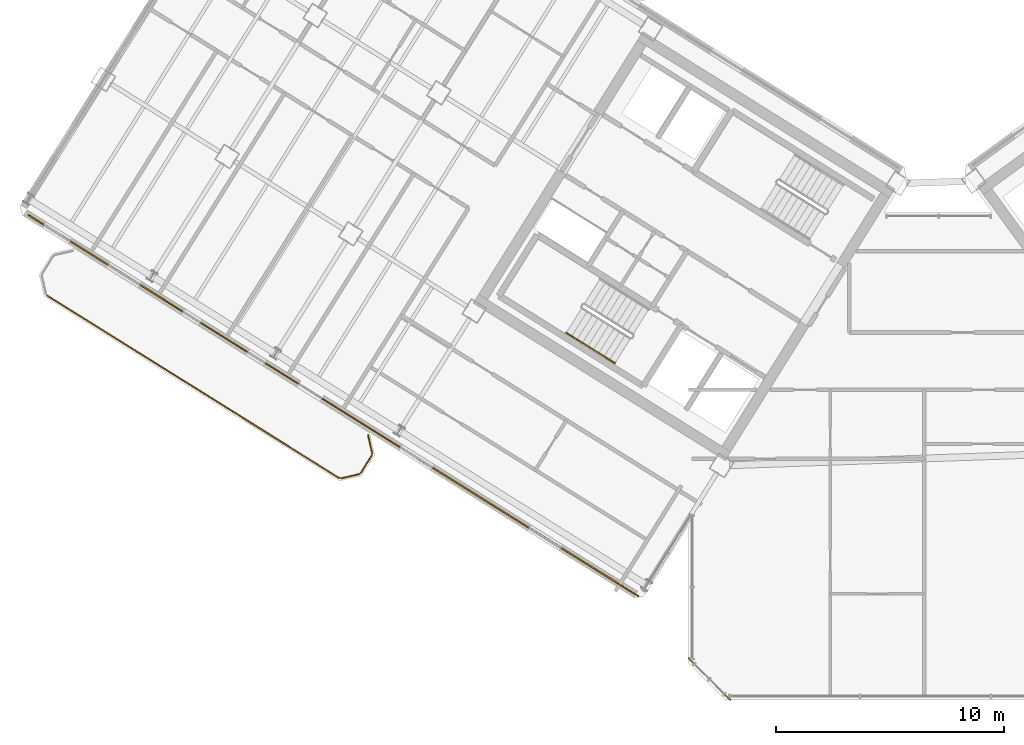
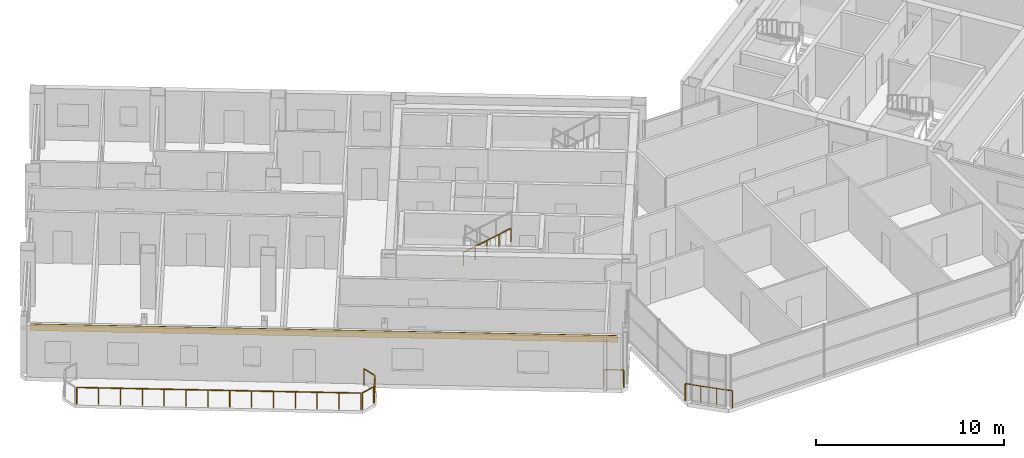
# One storey, part 22 of 29: 8 railings, 1 covering.
"""IFC4 building model written with IfcOpenShell, lengths in metres."""

from ifc_helpers import new_model, si_unit, direction, frame, origin, origin_2d, place, context, subcontext, project, spatial, rectangle, extrude, source, transform, mapped, material, layer, layer_set, type_object, element, save


model = new_model("IFC4")

# Units and contexts
model_context = context("Model", 3, precision=1e-05, world=origin(), true_north=direction((0.0, 1.0)))
body_context = subcontext(model_context, "Body", "Model", "MODEL_VIEW")
ifc_project = project(units=[si_unit("LENGTHUNIT", "METRE"), si_unit("AREAUNIT", "SQUARE_METRE"), si_unit("VOLUMEUNIT", "CUBIC_METRE"), si_unit("PLANEANGLEUNIT", "RADIAN"), si_unit("MASSUNIT", "GRAM", prefix="KILO")], contexts=[model_context])

# Site, building, storey
site_placement = place(None, origin())
site = spatial("IfcSite", under=ifc_project, at=site_placement, CompositionType="ELEMENT")
building_placement = place(site_placement, origin())
building = spatial("IfcBuilding", under=site, at=building_placement, Name="Tlacorven Tower", CompositionType="ELEMENT")
storey_placement = place(building_placement, frame((0.0, 0.0, 238.5)))
storey = spatial("IfcBuildingStorey", under=building, at=storey_placement, Name="L60", CompositionType="ELEMENT", Elevation=238.5)

# Railings
ifc_material_1 = material(Name="Aluminium and painted steel balustrade", Category="steel")
railing_type_1 = type_object("IfcRailingType", Name="RL-BAL-1100", PredefinedType="BALUSTRADE", material=ifc_material_1)
shared_shape_1 = source(origin(), body_context, "Body", "SweptSolid", [
    extrude(rectangle(XDim=0.048095703125, YDim=0.048095703125, at=origin_2d()), frame((0.0, 0.0, 1.076171875), z_axis=(0.225058334816, -0.974345290916, 0.0), x_axis=(0.974345290916, 0.225058334816, 0.0)), (0.0, 0.0, 1.0), 0.80712890625),
    extrude(rectangle(XDim=0.0419921875, YDim=0.0419921875, at=origin_2d()), origin(), (0.0, 0.0, 1.0), 1.052001953125),
    extrude(rectangle(XDim=0.0419921875, YDim=0.0419921875, at=origin_2d()), frame((0.181640625, -0.786376953125, 0.0)), (0.0, 0.0, 1.0), 1.052001953125),
])
railing_1_placement = place(storey_placement, frame((17.5244140625, 13.413330078125, 0.0)))
element("IfcRailing", 1, at=railing_1_placement, inside=storey, type_object=railing_type_1, Name="BAL-L60-W-OUT Guard Railing 1", PredefinedType="BALUSTRADE", context=body_context, shape_type="MappedRepresentation", body=[
    mapped(shared_shape_1, transform((0.0, 0.0, 0.0), scale=1.0)),
])
shared_shape_2 = source(origin(), body_context, "Body", "SweptSolid", [
    extrude(rectangle(XDim=0.048095703125, YDim=0.048095703125, at=origin_2d()), frame((0.0, 0.0, 1.076171875), z_axis=(-0.52987865805, -0.848073468364, 0.0), x_axis=(0.848073468364, -0.52987865805, 0.0)), (0.0, 0.0, 1.0), 0.912353515625),
    extrude(rectangle(XDim=0.0419921875, YDim=0.0419921875, at=origin_2d()), origin(), (0.0, 0.0, 1.0), 1.052001953125),
    extrude(rectangle(XDim=0.0419921875, YDim=0.0419921875, at=origin_2d()), frame((-0.4833984375, -0.773681640625, 0.0)), (0.0, 0.0, 1.0), 1.052001953125),
])
railing_2_placement = place(storey_placement, frame((17.690673828125, 12.535888671875, 0.0)))
element("IfcRailing", 2, at=railing_2_placement, inside=storey, type_object=railing_type_1, Name="BAL-L60-W-OUT Guard Railing 2", PredefinedType="BALUSTRADE", context=body_context, shape_type="MappedRepresentation", body=[
    mapped(shared_shape_2, transform((0.0, 0.0, 0.0), scale=1.0)),
])
shared_shape_3 = source(origin(), body_context, "Body", "SweptSolid", [
    extrude(rectangle(XDim=0.048095703125, YDim=0.048095703125, at=origin_2d()), frame((0.0, 0.0, 1.076171875), z_axis=(-0.974411586182, -0.224771129628, 0.0), x_axis=(0.224771129628, -0.974411586182, 0.0)), (0.0, 0.0, 1.0), 0.80712890625),
    extrude(rectangle(XDim=0.0419921875, YDim=0.0419921875, at=origin_2d()), origin(), (0.0, 0.0, 1.0), 1.052001953125),
    extrude(rectangle(XDim=0.0419921875, YDim=0.0419921875, at=origin_2d()), frame((-0.786376953125, -0.181396484375, 0.0)), (0.0, 0.0, 1.0), 1.052001953125),
])
railing_3_placement = place(storey_placement, frame((17.132080078125, 11.70849609375, 0.0)))
element("IfcRailing", 3, at=railing_3_placement, inside=storey, type_object=railing_type_1, Name="BAL-L60-W-OUT Guard Railing 3", PredefinedType="BALUSTRADE", context=body_context, shape_type="MappedRepresentation", body=[
    mapped(shared_shape_3, transform((0.0, 0.0, 0.0), scale=1.0)),
])
shared_shape_4 = source(origin(), body_context, "Body", "SweptSolid", [
    extrude(rectangle(XDim=0.048095703125, YDim=0.048095703125, at=origin_2d()), frame((0.0, 0.0, 1.076171875), z_axis=(-0.848044572804, 0.529924902733, 0.0), x_axis=(-0.529924902733, -0.848044572804, 0.0)), (0.0, 0.0, 1.0), 15.1171875),
    extrude(rectangle(XDim=0.0419921875, YDim=0.0419921875, at=origin_2d()), origin(), (0.0, 0.0, 1.0), 1.052001953125),
    extrude(rectangle(XDim=0.0419921875, YDim=0.0419921875, at=origin_2d()), frame((-0.986083984375, 0.6162109375, 0.0)), (0.0, 0.0, 1.0), 1.052001953125),
    extrude(rectangle(XDim=0.0419921875, YDim=0.0419921875, at=origin_2d()), frame((-1.972412109375, 1.232421875, 0.0)), (0.0, 0.0, 1.0), 1.052001953125),
    extrude(rectangle(XDim=0.0419921875, YDim=0.0419921875, at=origin_2d()), frame((-2.95849609375, 1.8486328125, 0.0)), (0.0, 0.0, 1.0), 1.052001953125),
    extrude(rectangle(XDim=0.0419921875, YDim=0.0419921875, at=origin_2d()), frame((-3.944580078125, 2.46484375, 0.0)), (0.0, 0.0, 1.0), 1.052001953125),
    extrude(rectangle(XDim=0.0419921875, YDim=0.0419921875, at=origin_2d()), frame((-4.930908203125, 3.0810546875, 0.0)), (0.0, 0.0, 1.0), 1.052001953125),
    extrude(rectangle(XDim=0.0419921875, YDim=0.0419921875, at=origin_2d()), frame((-5.9169921875, 3.697265625, 0.0)), (0.0, 0.0, 1.0), 1.052001953125),
    extrude(rectangle(XDim=0.0419921875, YDim=0.0419921875, at=origin_2d()), frame((-6.903076171875, 4.313720703125, 0.0)), (0.0, 0.0, 1.0), 1.052001953125),
    extrude(rectangle(XDim=0.0419921875, YDim=0.0419921875, at=origin_2d()), frame((-7.88916015625, 4.929931640625, 0.0)), (0.0, 0.0, 1.0), 1.052001953125),
    extrude(rectangle(XDim=0.0419921875, YDim=0.0419921875, at=origin_2d()), frame((-8.87548828125, 5.546142578125, 0.0)), (0.0, 0.0, 1.0), 1.052001953125),
    extrude(rectangle(XDim=0.0419921875, YDim=0.0419921875, at=origin_2d()), frame((-9.861572265625, 6.162353515625, 0.0)), (0.0, 0.0, 1.0), 1.052001953125),
    extrude(rectangle(XDim=0.0419921875, YDim=0.0419921875, at=origin_2d()), frame((-10.84765625, 6.778564453125, 0.0)), (0.0, 0.0, 1.0), 1.052001953125),
    extrude(rectangle(XDim=0.0419921875, YDim=0.0419921875, at=origin_2d()), frame((-11.833984375, 7.394775390625, 0.0)), (0.0, 0.0, 1.0), 1.052001953125),
    extrude(rectangle(XDim=0.0419921875, YDim=0.0419921875, at=origin_2d()), frame((-12.820068359375, 8.010986328125, 0.0)), (0.0, 0.0, 1.0), 1.052001953125),
])
railing_4_placement = place(storey_placement, frame((16.254638671875, 11.542236328125, 0.0)))
element("IfcRailing", 4, at=railing_4_placement, inside=storey, type_object=railing_type_1, Name="BAL-L60-W-OUT Guard Railing 4", PredefinedType="BALUSTRADE", context=body_context, shape_type="MappedRepresentation", body=[
    mapped(shared_shape_4, transform((0.0, 0.0, 0.0), scale=1.0)),
])
railing_type_2 = type_object("IfcRailingType", Name="RL-GRD-1150", PredefinedType="GUARDRAIL", material=ifc_material_1)
shared_shape_5 = source(origin(), body_context, "Body", "SweptSolid", [
    extrude(rectangle(XDim=0.048095703125, YDim=0.048095703125, at=origin_2d()), frame((0.0, 0.0, 1.1259765625), z_axis=(-0.707106781187, 0.707106781187, 0.0), x_axis=(-0.707106781187, -0.707106781187, 0.0)), (0.0, 0.0, 1.0), 2.590087890625),
    extrude(rectangle(XDim=0.0419921875, YDim=0.0419921875, at=origin_2d()), origin(), (0.0, 0.0, 1.0), 1.101806640625),
    extrude(rectangle(XDim=0.0419921875, YDim=0.0419921875, at=origin_2d()), frame((-0.610595703125, 0.610595703125, 0.0)), (0.0, 0.0, 1.0), 1.101806640625),
    extrude(rectangle(XDim=0.0419921875, YDim=0.0419921875, at=origin_2d()), frame((-1.220947265625, 1.220947265625, 0.0)), (0.0, 0.0, 1.0), 1.101806640625),
    extrude(rectangle(XDim=0.0419921875, YDim=0.0419921875, at=origin_2d()), frame((-1.83154296875, 1.83154296875, 0.0)), (0.0, 0.0, 1.0), 1.101806640625),
])
railing_5_placement = place(storey_placement, frame((33.428955078125, 1.79736328125, 0.0)))
element("IfcRailing", 5, at=railing_5_placement, inside=storey, type_object=railing_type_2, Name="L60 Knuckle Glazed Sill Guard 1", PredefinedType="GUARDRAIL", context=body_context, shape_type="MappedRepresentation", body=[
    mapped(shared_shape_5, transform((0.0, 0.0, 0.0), scale=1.0)),
])
shared_shape_6 = source(origin(), body_context, "Body", "SweptSolid", [
    extrude(rectangle(XDim=0.048095703125, YDim=0.048095703125, at=origin_2d()), frame((0.0, 0.0, 1.1259765625), z_axis=(-0.848102774857, 0.529831749973, 0.0), x_axis=(-0.529831749973, -0.848102774857, 0.0)), (0.0, 0.0, 1.0), 1.050048828125),
    extrude(rectangle(XDim=0.0419921875, YDim=0.0419921875, at=origin_2d()), origin(), (0.0, 0.0, 1.0), 1.101806640625),
    extrude(rectangle(XDim=0.0419921875, YDim=0.0419921875, at=origin_2d()), frame((-0.890625, 0.556396484375, 0.0)), (0.0, 0.0, 1.0), 1.101806640625),
])
railing_6_placement = place(storey_placement, frame((29.39501953125, 6.35009765625, 0.0)))
element("IfcRailing", 6, at=railing_6_placement, inside=storey, type_object=railing_type_2, Name="L60 Knuckle Glazed Sill Guard 2", PredefinedType="GUARDRAIL", context=body_context, shape_type="MappedRepresentation", body=[
    mapped(shared_shape_6, transform((0.0, 0.0, 0.0), scale=1.0)),
])

# Covering
ifc_material_2 = material(Name="Precast concrete C45/55", Category="concrete")
ifc_layer = layer(ifc_material_2, 0.06005859375)
ifc_layer_set = layer_set([ifc_layer], Name="Precast concrete C45/55")
covering_type = type_object("IfcCoveringType", Name="CV-CLD-TERC", PredefinedType="CLADDING", material=ifc_layer_set)
shared_shape_7 = source(origin(), body_context, "Body", "SweptSolid", [
    extrude(rectangle(XDim=31.287353515625, YDim=0.06005859375, at=origin_2d()), origin(), (0.0, 0.0, 1.0), 0.419921875),
])
covering_placement = place(storey_placement, frame((15.8740234375, 14.798828125, 2.929931640625), z_axis=(0.0, 0.0, 1.0), x_axis=(-0.84804812172, 0.529919223323, 0.0)))
element("IfcCovering", 7, at=covering_placement, inside=storey, type_object=covering_type, Name="L60 Masonry-Frame Spandrel Cladding 1", PredefinedType="CLADDING", context=body_context, shape_type="MappedRepresentation", body=[
    mapped(shared_shape_7, transform((0.0, 0.0, 0.0), scale=1.0)),
])

# Railings
railing_type_3 = type_object("IfcRailingType", Name="RL-HND-0900", PredefinedType="HANDRAIL", material=ifc_material_1)
shared_shape_8 = source(origin(), body_context, "Body", "SweptSolid", [
    extrude(rectangle(XDim=0.048095703125, YDim=0.048095703125, at=origin_2d()), frame((0.0, 0.0, 0.8759765625), z_axis=(0.713359751793, -0.4457479829, 0.540764828981), x_axis=(0.529911857636, 0.848052724267, 0.0)), (0.0, 0.0, 1.0), 1.498046875),
    extrude(rectangle(XDim=0.0419921875, YDim=0.0419921875, at=origin_2d()), origin(), (0.0, 0.0, 1.0), 0.851806640625),
    extrude(rectangle(XDim=0.0419921875, YDim=0.0419921875, at=origin_2d()), frame((0.5341796875, -0.333984375, 0.405029296875)), (0.0, 0.0, 1.0), 0.851806640625),
    extrude(rectangle(XDim=0.0419921875, YDim=0.0419921875, at=origin_2d()), frame((1.068603515625, -0.667724609375, 0.81005859375)), (0.0, 0.0, 1.0), 0.851806640625),
])
railing_7_placement = place(storey_placement, frame((26.228759765625, 17.915283203125, 1.97998046875)))
element("IfcRailing", 8, at=railing_7_placement, inside=storey, type_object=railing_type_3, Name="L60 ST-W1 stair handrail 3", PredefinedType="HANDRAIL", context=body_context, shape_type="MappedRepresentation", body=[
    mapped(shared_shape_8, transform((0.0, 0.0, 0.0), scale=1.0)),
])
shared_shape_9 = source(origin(), body_context, "Body", "SweptSolid", [
    extrude(rectangle(XDim=0.048095703125, YDim=0.048095703125, at=origin_2d()), frame((0.0, 0.0, 0.8759765625), z_axis=(0.713279695859, -0.445799809912, 0.540827703579), x_axis=(0.529998940003, 0.847998304005, 0.0)), (0.0, 0.0, 1.0), 1.497802734375),
    extrude(rectangle(XDim=0.0419921875, YDim=0.0419921875, at=origin_2d()), origin(), (0.0, 0.0, 1.0), 0.851806640625),
    extrude(rectangle(XDim=0.0419921875, YDim=0.0419921875, at=origin_2d()), frame((0.5341796875, -0.333984375, 0.405029296875)), (0.0, 0.0, 1.0), 0.851806640625),
    extrude(rectangle(XDim=0.0419921875, YDim=0.0419921875, at=origin_2d()), frame((1.068359375, -0.667724609375, 0.81005859375)), (0.0, 0.0, 1.0), 0.851806640625),
])
railing_8_placement = place(storey_placement, frame((27.29736328125, 17.24755859375, 2.7900390625)))
element("IfcRailing", 9, at=railing_8_placement, inside=storey, type_object=railing_type_3, Name="L60 ST-W1 stair handrail 4", PredefinedType="HANDRAIL", context=body_context, shape_type="MappedRepresentation", body=[
    mapped(shared_shape_9, transform((0.0, 0.0, 0.0), scale=1.0)),
])

save(model, "model.ifc")
